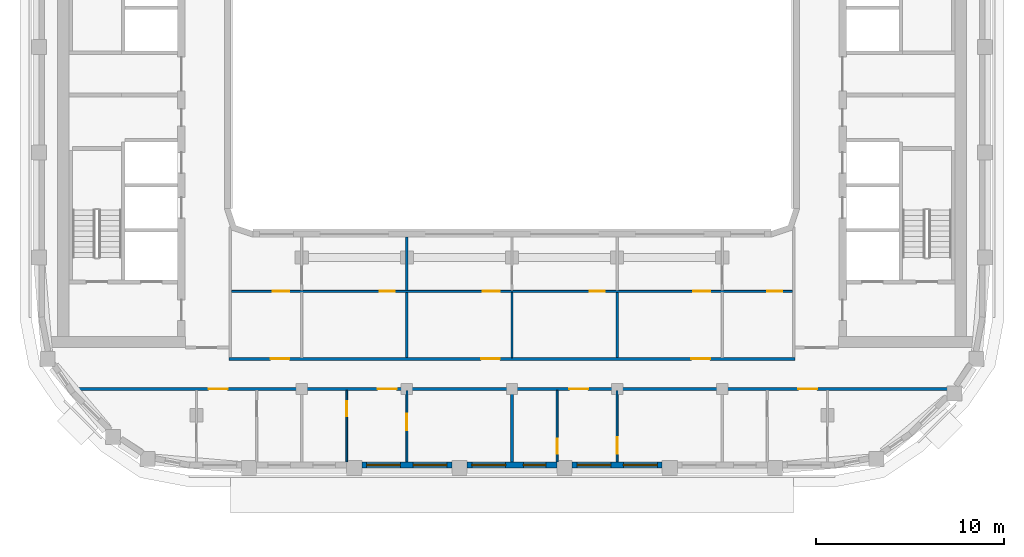
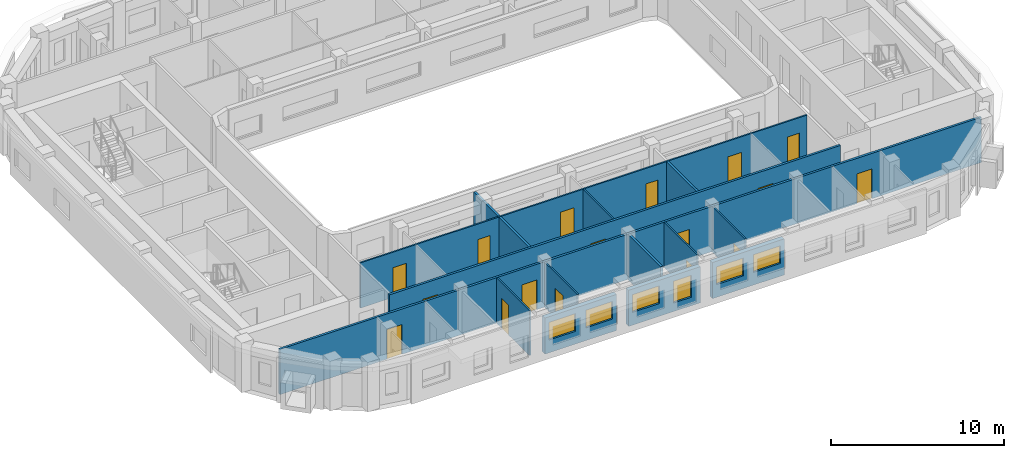
# One storey, part 3 of 16: 17 doors, 15 walls, 6 windows, 23 openings.
"""IFC4 building model written with IfcOpenShell, lengths in metres."""

from ifc_helpers import new_model, si_unit, direction, frame, frame_2d, origin, place, context, subcontext, project, spatial, rectangle, extrude, material, layer, layer_set, type_object, element, fill, save


model = new_model("IFC4")

# Units and contexts
model_context = context("Model", 3, precision=1e-05, world=origin(), true_north=direction((0.0, 1.0)))
body_context = subcontext(model_context, "Body", "Model", "MODEL_VIEW")
ifc_project = project(units=[si_unit("LENGTHUNIT", "METRE"), si_unit("AREAUNIT", "SQUARE_METRE"), si_unit("VOLUMEUNIT", "CUBIC_METRE"), si_unit("PLANEANGLEUNIT", "RADIAN"), si_unit("MASSUNIT", "GRAM", prefix="KILO")], contexts=[model_context])

# Site, building, storey
site_placement = place(None, origin())
site = spatial("IfcSite", under=ifc_project, at=site_placement, CompositionType="ELEMENT")
building_placement = place(site_placement, origin())
building = spatial("IfcBuilding", under=site, at=building_placement, Name="Kiln Ring Residences", CompositionType="ELEMENT")
storey_placement = place(building_placement, frame((0.0, 0.0, 245.199951171875)))
storey = spatial("IfcBuildingStorey", under=building, at=storey_placement, Name="L63", CompositionType="ELEMENT", Elevation=245.199951171875)

# Wall, openings, windows
ifc_material_1 = material(Name="Brick masonry, dark clay brick", Category="masonry")
ifc_layer_1 = layer(ifc_material_1, 0.300048828125)
ifc_layer_set_1 = layer_set([ifc_layer_1], Name="EW-300 BRICK WALL")
wall_type_1 = type_object("IfcWallType", Name="EW-300 BRICK WALL", PredefinedType="SOLIDWALL", material=ifc_layer_set_1)
wall_1_placement = place(storey_placement, frame((-8.0, -19.449951171875, 0.0), z_axis=(0.0, 0.0, 1.0), x_axis=(1.0, 0.0, 0.0)))
wall_1 = element("IfcWall", 1, at=wall_1_placement, inside=storey, type_object=wall_type_1, Name="Facade wall L63 6", PredefinedType="SOLIDWALL", context=body_context, shape_type="SweptSolid", body=[
    extrude(rectangle(XDim=4.800048828125, YDim=0.300048828125, at=frame_2d((2.39990234375, 0.0))), origin(), (0.0, 0.0, 1.0), 2.550048828125),
])
opening_1_placement = place(wall_1_placement, frame((0.262451171875, 0.0, 0.89990234375)))
opening_1 = element("IfcOpeningElement", 2, at=opening_1_placement, cuts=wall_1, Name="Opening W2", PredefinedType="OPENING", context=body_context, shape_type="SweptSolid", body=[
    extrude(rectangle(XDim=1.800048828125, YDim=1.25, at=frame_2d((0.89990234375, 0.625))), frame((0.0, 0.159912109375, 0.0), z_axis=(0.0, -1.0, 0.0), x_axis=(1.0, 0.0, 0.0)), (0.0, 0.0, 1.0), 0.320068359375),
])
opening_2_placement = place(wall_1_placement, frame((2.737548828125, 0.0, 0.89990234375)))
opening_2 = element("IfcOpeningElement", 3, at=opening_2_placement, cuts=wall_1, Name="Opening W2", PredefinedType="OPENING", context=body_context, shape_type="SweptSolid", body=[
    extrude(rectangle(XDim=1.800048828125, YDim=1.25, at=frame_2d((0.89990234375, 0.625))), frame((0.0, 0.159912109375, 0.0), z_axis=(0.0, -1.0, 0.0), x_axis=(1.0, 0.0, 0.0)), (0.0, 0.0, 1.0), 0.320068359375),
])
ifc_material_2 = material(Name="Aluminium frame with double glazing", Category="aluminium")
window_type_1 = type_object("IfcWindowType", Name="WINDOW 1800 x 1250", PartitioningType="SINGLE_PANEL", PredefinedType="WINDOW", material=ifc_material_2)
window_1_placement = place(opening_1_placement, origin())
window_1 = element("IfcWindow", 4, at=window_1_placement, inside=storey, type_object=window_type_1, Name="Window L63 6", OverallHeight=1.25, OverallWidth=1.800048828125, PartitioningType="SINGLE_PANEL", PredefinedType="WINDOW", context=body_context, shape_type="SweptSolid", body=[
    extrude(rectangle(XDim=1.800048828125, YDim=1.25, at=frame_2d((0.89990234375, 0.625))), frame((0.0, 0.030029296875, 0.0), z_axis=(0.0, -1.0, 0.0), x_axis=(1.0, 0.0, 0.0)), (0.0, 0.0, 1.0), 0.06005859375),
])
fill(opening_1, window_1)
window_2_placement = place(opening_2_placement, origin())
window_2 = element("IfcWindow", 5, at=window_2_placement, inside=storey, type_object=window_type_1, Name="Window L63 7", OverallHeight=1.25, OverallWidth=1.800048828125, PartitioningType="SINGLE_PANEL", PredefinedType="WINDOW", context=body_context, shape_type="SweptSolid", body=[
    extrude(rectangle(XDim=1.800048828125, YDim=1.25, at=frame_2d((0.89990234375, 0.625))), frame((0.0, 0.030029296875, 0.0), z_axis=(0.0, -1.0, 0.0), x_axis=(1.0, 0.0, 0.0)), (0.0, 0.0, 1.0), 0.06005859375),
])
fill(opening_2, window_2)

wall_2_placement = place(storey_placement, frame((-2.39990234375, -19.449951171875, 0.0), z_axis=(0.0, 0.0, 1.0), x_axis=(1.0, 0.0, 0.0)))
wall_2 = element("IfcWall", 6, at=wall_2_placement, inside=storey, type_object=wall_type_1, Name="Facade wall L63 7", PredefinedType="SOLIDWALL", context=body_context, shape_type="SweptSolid", body=[
    extrude(rectangle(XDim=4.7998046875, YDim=0.300048828125, at=frame_2d((2.39990234375, 0.0))), origin(), (0.0, 0.0, 1.0), 2.550048828125),
])
opening_3_placement = place(wall_2_placement, frame((0.262451171875, 0.0, 0.89990234375)))
opening_3 = element("IfcOpeningElement", 7, at=opening_3_placement, cuts=wall_2, Name="Opening W2", PredefinedType="OPENING", context=body_context, shape_type="SweptSolid", body=[
    extrude(rectangle(XDim=1.800048828125, YDim=1.25, at=frame_2d((0.89990234375, 0.625))), frame((0.0, 0.159912109375, 0.0), z_axis=(0.0, -1.0, 0.0), x_axis=(1.0, 0.0, 0.0)), (0.0, 0.0, 1.0), 0.320068359375),
])
opening_4_placement = place(wall_2_placement, frame((3.0, 0.0, 0.60009765625)))
opening_4 = element("IfcOpeningElement", 8, at=opening_4_placement, cuts=wall_2, Name="Opening W1", PredefinedType="OPENING", context=body_context, shape_type="SweptSolid", body=[
    extrude(rectangle(XDim=1.199951171875, YDim=1.550048828125, at=frame_2d((0.60009765625, 0.77490234375))), frame((0.0, 0.159912109375, 0.0), z_axis=(0.0, -1.0, 0.0), x_axis=(1.0, 0.0, 0.0)), (0.0, 0.0, 1.0), 0.320068359375),
])
ifc_material_3 = material(Name="Aluminium frame with double glazing", Category="aluminium")
window_type_2 = type_object("IfcWindowType", Name="WINDOW 1200 x 1550", PartitioningType="SINGLE_PANEL", PredefinedType="WINDOW", material=ifc_material_3)
window_3_placement = place(opening_4_placement, origin())
window_3 = element("IfcWindow", 9, at=window_3_placement, inside=storey, type_object=window_type_2, Name="Window L63 9", OverallHeight=1.550048828125, OverallWidth=1.199951171875, PartitioningType="SINGLE_PANEL", PredefinedType="WINDOW", context=body_context, shape_type="SweptSolid", body=[
    extrude(rectangle(XDim=1.199951171875, YDim=1.550048828125, at=frame_2d((0.60009765625, 0.77490234375))), frame((0.0, 0.030029296875, 0.0), z_axis=(0.0, -1.0, 0.0), x_axis=(1.0, 0.0, 0.0)), (0.0, 0.0, 1.0), 0.06005859375),
])
fill(opening_4, window_3)
window_4_placement = place(opening_3_placement, origin())
window_4 = element("IfcWindow", 10, at=window_4_placement, inside=storey, type_object=window_type_1, Name="Window L63 8", OverallHeight=1.25, OverallWidth=1.800048828125, PartitioningType="SINGLE_PANEL", PredefinedType="WINDOW", context=body_context, shape_type="SweptSolid", body=[
    extrude(rectangle(XDim=1.800048828125, YDim=1.25, at=frame_2d((0.89990234375, 0.625))), frame((0.0, 0.030029296875, 0.0), z_axis=(0.0, -1.0, 0.0), x_axis=(1.0, 0.0, 0.0)), (0.0, 0.0, 1.0), 0.06005859375),
])
fill(opening_3, window_4)

wall_3_placement = place(storey_placement, frame((3.199951171875, -19.449951171875, 0.0), z_axis=(0.0, 0.0, 1.0), x_axis=(1.0, 0.0, 0.0)))
wall_3 = element("IfcWall", 11, at=wall_3_placement, inside=storey, type_object=wall_type_1, Name="Facade wall L63 8", PredefinedType="SOLIDWALL", context=body_context, shape_type="SweptSolid", body=[
    extrude(rectangle(XDim=4.800048828125, YDim=0.300048828125, at=frame_2d((2.39990234375, 0.0))), origin(), (0.0, 0.0, 1.0), 2.550048828125),
])
opening_5_placement = place(wall_3_placement, frame((0.262451171875, 0.0, 0.89990234375)))
opening_5 = element("IfcOpeningElement", 12, at=opening_5_placement, cuts=wall_3, Name="Opening W2", PredefinedType="OPENING", context=body_context, shape_type="SweptSolid", body=[
    extrude(rectangle(XDim=1.800048828125, YDim=1.25, at=frame_2d((0.89990234375, 0.625))), frame((0.0, 0.159912109375, 0.0), z_axis=(0.0, -1.0, 0.0), x_axis=(1.0, 0.0, 0.0)), (0.0, 0.0, 1.0), 0.320068359375),
])
opening_6_placement = place(wall_3_placement, frame((2.737548828125, 0.0, 0.89990234375)))
opening_6 = element("IfcOpeningElement", 13, at=opening_6_placement, cuts=wall_3, Name="Opening W2", PredefinedType="OPENING", context=body_context, shape_type="SweptSolid", body=[
    extrude(rectangle(XDim=1.800048828125, YDim=1.25, at=frame_2d((0.89990234375, 0.625))), frame((0.0, 0.159912109375, 0.0), z_axis=(0.0, -1.0, 0.0), x_axis=(1.0, 0.0, 0.0)), (0.0, 0.0, 1.0), 0.320068359375),
])
window_5_placement = place(opening_5_placement, origin())
window_5 = element("IfcWindow", 14, at=window_5_placement, inside=storey, type_object=window_type_1, Name="Window L63 10", OverallHeight=1.25, OverallWidth=1.800048828125, PartitioningType="SINGLE_PANEL", PredefinedType="WINDOW", context=body_context, shape_type="SweptSolid", body=[
    extrude(rectangle(XDim=1.800048828125, YDim=1.25, at=frame_2d((0.89990234375, 0.625))), frame((0.0, 0.030029296875, 0.0), z_axis=(0.0, -1.0, 0.0), x_axis=(1.0, 0.0, 0.0)), (0.0, 0.0, 1.0), 0.06005859375),
])
fill(opening_5, window_5)
window_6_placement = place(opening_6_placement, origin())
window_6 = element("IfcWindow", 15, at=window_6_placement, inside=storey, type_object=window_type_1, Name="Window L63 11", OverallHeight=1.25, OverallWidth=1.800048828125, PartitioningType="SINGLE_PANEL", PredefinedType="WINDOW", context=body_context, shape_type="SweptSolid", body=[
    extrude(rectangle(XDim=1.800048828125, YDim=1.25, at=frame_2d((0.89990234375, 0.625))), frame((0.0, 0.030029296875, 0.0), z_axis=(0.0, -1.0, 0.0), x_axis=(1.0, 0.0, 0.0)), (0.0, 0.0, 1.0), 0.06005859375),
])
fill(opening_6, window_6)

# Wall, openings, doors
ifc_material_4 = material(Name="Gypsum board on steel studs", Category="steel")
ifc_layer_2 = layer(ifc_material_4, 0.10009765625)
ifc_layer_set_2 = layer_set([ifc_layer_2], Name="PARTITION-100")
wall_type_2 = type_object("IfcWallType", Name="PARTITION-100", PredefinedType="PARTITIONING", material=ifc_layer_set_2)
wall_4_placement = place(storey_placement, frame((-14.925048828125, -10.199951171875, 0.0), z_axis=(0.0, 0.0, 1.0), x_axis=(1.0, 0.0, 0.0)))
wall_4 = element("IfcWall", 16, at=wall_4_placement, inside=storey, type_object=wall_type_2, Name="Partition 004", PredefinedType="PARTITIONING", context=body_context, shape_type="SweptSolid", body=[
    extrude(rectangle(XDim=29.85009765625, YDim=0.10009765625, at=frame_2d((14.925048828125, 0.0))), origin(), (0.0, 0.0, 1.0), 3.199951171875),
])
opening_7_placement = place(wall_4_placement, frame((7.875, 0.0, 0.0)))
opening_7 = element("IfcOpeningElement", 17, at=opening_7_placement, cuts=wall_4, Name="Opening L63-D030", PredefinedType="OPENING", context=body_context, shape_type="SweptSolid", body=[
    extrude(rectangle(XDim=0.800048828125, YDim=2.10009765625, at=frame_2d((0.39990234375, 1.050048828125))), frame((0.0, 0.06005859375, 0.0), z_axis=(0.0, -1.0, 0.0), x_axis=(1.0, 0.0, 0.0)), (0.0, 0.0, 1.0), 0.1201171875),
])
opening_8_placement = place(wall_4_placement, frame((2.175048828125, 0.0, 0.0)))
opening_8 = element("IfcOpeningElement", 18, at=opening_8_placement, cuts=wall_4, Name="Opening L63-D031", PredefinedType="OPENING", context=body_context, shape_type="SweptSolid", body=[
    extrude(rectangle(XDim=0.89990234375, YDim=2.10009765625, at=frame_2d((0.449951171875, 1.050048828125))), frame((0.0, 0.06005859375, 0.0), z_axis=(0.0, -1.0, 0.0), x_axis=(1.0, 0.0, 0.0)), (0.0, 0.0, 1.0), 0.1201171875),
])
opening_9_placement = place(wall_4_placement, frame((19.074951171875, 0.0, 0.0)))
opening_9 = element("IfcOpeningElement", 19, at=opening_9_placement, cuts=wall_4, Name="Opening L63-D034", PredefinedType="OPENING", context=body_context, shape_type="SweptSolid", body=[
    extrude(rectangle(XDim=0.800048828125, YDim=2.10009765625, at=frame_2d((0.39990234375, 1.050048828125))), frame((0.0, 0.06005859375, 0.0), z_axis=(0.0, -1.0, 0.0), x_axis=(1.0, 0.0, 0.0)), (0.0, 0.0, 1.0), 0.1201171875),
])
opening_10_placement = place(wall_4_placement, frame((13.375, 0.0, 0.0)))
opening_10 = element("IfcOpeningElement", 20, at=opening_10_placement, cuts=wall_4, Name="Opening L63-D035", PredefinedType="OPENING", context=body_context, shape_type="SweptSolid", body=[
    extrude(rectangle(XDim=0.89990234375, YDim=2.10009765625, at=frame_2d((0.449951171875, 1.050048828125))), frame((0.0, 0.06005859375, 0.0), z_axis=(0.0, -1.0, 0.0), x_axis=(1.0, 0.0, 0.0)), (0.0, 0.0, 1.0), 0.1201171875),
])
opening_11_placement = place(wall_4_placement, frame((28.52490234375, 0.0, 0.0)))
opening_11 = element("IfcOpeningElement", 21, at=opening_11_placement, cuts=wall_4, Name="Opening L63-D038", PredefinedType="OPENING", context=body_context, shape_type="SweptSolid", body=[
    extrude(rectangle(XDim=0.800048828125, YDim=2.10009765625, at=frame_2d((0.39990234375, 1.050048828125))), frame((0.0, 0.06005859375, 0.0), z_axis=(0.0, -1.0, 0.0), x_axis=(1.0, 0.0, 0.0)), (0.0, 0.0, 1.0), 0.1201171875),
])
opening_12_placement = place(wall_4_placement, frame((24.574951171875, 0.0, 0.0)))
opening_12 = element("IfcOpeningElement", 22, at=opening_12_placement, cuts=wall_4, Name="Opening L63-D039", PredefinedType="OPENING", context=body_context, shape_type="SweptSolid", body=[
    extrude(rectangle(XDim=0.89990234375, YDim=2.10009765625, at=frame_2d((0.449951171875, 1.050048828125))), frame((0.0, 0.06005859375, 0.0), z_axis=(0.0, -1.0, 0.0), x_axis=(1.0, 0.0, 0.0)), (0.0, 0.0, 1.0), 0.1201171875),
])
ifc_material_5 = material(Name="Timber door leaf", Category="wood")
door_type_1 = type_object("IfcDoorType", Name="FLAT-DOOR-800-PL", OperationType="SINGLE_SWING_LEFT", PredefinedType="DOOR", material=ifc_material_5)
door_1_placement = place(opening_7_placement, origin())
door_1 = element("IfcDoor", 23, at=door_1_placement, inside=storey, type_object=door_type_1, Name="Door L63-D030", OperationType="SINGLE_SWING_RIGHT", OverallHeight=2.10009765625, OverallWidth=0.800048828125, PredefinedType="DOOR", context=body_context, shape_type="SweptSolid", body=[
    extrude(rectangle(XDim=0.800048828125, YDim=2.10009765625, at=frame_2d((0.39990234375, 1.050048828125))), frame((0.0, 0.02490234375, 0.0), z_axis=(0.0, -1.0, 0.0), x_axis=(1.0, 0.0, 0.0)), (0.0, 0.0, 1.0), 0.050048828125),
])
fill(opening_7, door_1)
door_2_placement = place(opening_9_placement, origin())
door_2 = element("IfcDoor", 24, at=door_2_placement, inside=storey, type_object=door_type_1, Name="Door L63-D034", OperationType="SINGLE_SWING_RIGHT", OverallHeight=2.10009765625, OverallWidth=0.800048828125, PredefinedType="DOOR", context=body_context, shape_type="SweptSolid", body=[
    extrude(rectangle(XDim=0.800048828125, YDim=2.10009765625, at=frame_2d((0.39990234375, 1.050048828125))), frame((0.0, 0.02490234375, 0.0), z_axis=(0.0, -1.0, 0.0), x_axis=(1.0, 0.0, 0.0)), (0.0, 0.0, 1.0), 0.050048828125),
])
fill(opening_9, door_2)
door_3_placement = place(opening_11_placement, origin())
door_3 = element("IfcDoor", 25, at=door_3_placement, inside=storey, type_object=door_type_1, Name="Door L63-D038", OperationType="SINGLE_SWING_RIGHT", OverallHeight=2.10009765625, OverallWidth=0.800048828125, PredefinedType="DOOR", context=body_context, shape_type="SweptSolid", body=[
    extrude(rectangle(XDim=0.800048828125, YDim=2.10009765625, at=frame_2d((0.39990234375, 1.050048828125))), frame((0.0, 0.02490234375, 0.0), z_axis=(0.0, -1.0, 0.0), x_axis=(1.0, 0.0, 0.0)), (0.0, 0.0, 1.0), 0.050048828125),
])
fill(opening_11, door_3)
ifc_material_6 = material(Name="Timber door leaf", Category="wood")
door_type_2 = type_object("IfcDoorType", Name="FLAT-DOOR-900-PL", OperationType="SINGLE_SWING_LEFT", PredefinedType="DOOR", material=ifc_material_6)
door_4_placement = place(opening_8_placement, origin())
door_4 = element("IfcDoor", 26, at=door_4_placement, inside=storey, type_object=door_type_2, Name="Door L63-D031", OperationType="SINGLE_SWING_LEFT", OverallHeight=2.10009765625, OverallWidth=0.89990234375, PredefinedType="DOOR", context=body_context, shape_type="SweptSolid", body=[
    extrude(rectangle(XDim=0.89990234375, YDim=2.10009765625, at=frame_2d((0.449951171875, 1.050048828125))), frame((0.0, 0.02490234375, 0.0), z_axis=(0.0, -1.0, 0.0), x_axis=(1.0, 0.0, 0.0)), (0.0, 0.0, 1.0), 0.050048828125),
])
fill(opening_8, door_4)
door_5_placement = place(opening_10_placement, origin())
door_5 = element("IfcDoor", 27, at=door_5_placement, inside=storey, type_object=door_type_2, Name="Door L63-D035", OperationType="SINGLE_SWING_LEFT", OverallHeight=2.10009765625, OverallWidth=0.89990234375, PredefinedType="DOOR", context=body_context, shape_type="SweptSolid", body=[
    extrude(rectangle(XDim=0.89990234375, YDim=2.10009765625, at=frame_2d((0.449951171875, 1.050048828125))), frame((0.0, 0.02490234375, 0.0), z_axis=(0.0, -1.0, 0.0), x_axis=(1.0, 0.0, 0.0)), (0.0, 0.0, 1.0), 0.050048828125),
])
fill(opening_10, door_5)
door_6_placement = place(opening_12_placement, origin())
door_6 = element("IfcDoor", 28, at=door_6_placement, inside=storey, type_object=door_type_2, Name="Door L63-D039", OperationType="SINGLE_SWING_LEFT", OverallHeight=2.10009765625, OverallWidth=0.89990234375, PredefinedType="DOOR", context=body_context, shape_type="SweptSolid", body=[
    extrude(rectangle(XDim=0.89990234375, YDim=2.10009765625, at=frame_2d((0.449951171875, 1.050048828125))), frame((0.0, 0.02490234375, 0.0), z_axis=(0.0, -1.0, 0.0), x_axis=(1.0, 0.0, 0.0)), (0.0, 0.0, 1.0), 0.050048828125),
])
fill(opening_12, door_6)

# Wall, opening, door
wall_5_placement = place(storey_placement, frame((-8.800048828125, -19.280029296875, 0.0), z_axis=(0.0, 0.0, 1.0), x_axis=(0.0, 1.0, 0.0)))
wall_5 = element("IfcWall", 29, at=wall_5_placement, inside=storey, type_object=wall_type_2, Name="Partition 021", PredefinedType="PARTITIONING", context=body_context, shape_type="SweptSolid", body=[
    extrude(rectangle(XDim=3.804931640625, YDim=0.10009765625, at=frame_2d((1.90234375, 0.0))), origin(), (0.0, 0.0, 1.0), 3.199951171875),
])
opening_13_placement = place(wall_5_placement, frame((2.428955078125, 0.0, 0.0)))
opening_13 = element("IfcOpeningElement", 30, at=opening_13_placement, cuts=wall_5, Name="Opening L63-D045", PredefinedType="OPENING", context=body_context, shape_type="SweptSolid", body=[
    extrude(rectangle(XDim=0.800048828125, YDim=2.10009765625, at=frame_2d((0.39990234375, 1.050048828125))), frame((0.0, 0.06005859375, 0.0), z_axis=(0.0, -1.0, 0.0), x_axis=(1.0, 0.0, 0.0)), (0.0, 0.0, 1.0), 0.1201171875),
])
door_7_placement = place(opening_13_placement, origin())
door_7 = element("IfcDoor", 31, at=door_7_placement, inside=storey, type_object=door_type_1, Name="Door L63-D045", OperationType="SINGLE_SWING_LEFT", OverallHeight=2.10009765625, OverallWidth=0.800048828125, PredefinedType="DOOR", context=body_context, shape_type="SweptSolid", body=[
    extrude(rectangle(XDim=0.800048828125, YDim=2.10009765625, at=frame_2d((0.39990234375, 1.050048828125))), frame((0.0, 0.02490234375, 0.0), z_axis=(0.0, -1.0, 0.0), x_axis=(1.0, 0.0, 0.0)), (0.0, 0.0, 1.0), 0.050048828125),
])
fill(opening_13, door_7)

wall_6_placement = place(storey_placement, frame((-5.60009765625, -19.280029296875, 0.0), z_axis=(0.0, 0.0, 1.0), x_axis=(0.0, 1.0, 0.0)))
wall_6 = element("IfcWall", 32, at=wall_6_placement, inside=storey, type_object=wall_type_2, Name="Partition 023", PredefinedType="PARTITIONING", context=body_context, shape_type="SweptSolid", body=[
    extrude(rectangle(XDim=3.804931640625, YDim=0.10009765625, at=frame_2d((1.90234375, 0.0))), origin(), (0.0, 0.0, 1.0), 3.199951171875),
])
opening_14_placement = place(wall_6_placement, frame((1.669921875, 0.0, 0.0)))
opening_14 = element("IfcOpeningElement", 33, at=opening_14_placement, cuts=wall_6, Name="Opening L63-D046", PredefinedType="OPENING", context=body_context, shape_type="SweptSolid", body=[
    extrude(rectangle(XDim=0.89990234375, YDim=2.10009765625, at=frame_2d((0.449951171875, 1.050048828125))), frame((0.0, 0.06005859375, 0.0), z_axis=(0.0, -1.0, 0.0), x_axis=(1.0, 0.0, 0.0)), (0.0, 0.0, 1.0), 0.1201171875),
])
door_8_placement = place(opening_14_placement, origin())
door_8 = element("IfcDoor", 34, at=door_8_placement, inside=storey, type_object=door_type_2, Name="Door L63-D046", OperationType="SINGLE_SWING_RIGHT", OverallHeight=2.10009765625, OverallWidth=0.89990234375, PredefinedType="DOOR", context=body_context, shape_type="SweptSolid", body=[
    extrude(rectangle(XDim=0.89990234375, YDim=2.10009765625, at=frame_2d((0.449951171875, 1.050048828125))), frame((0.0, 0.02490234375, 0.0), z_axis=(0.0, -1.0, 0.0), x_axis=(1.0, 0.0, 0.0)), (0.0, 0.0, 1.0), 0.050048828125),
])
fill(opening_14, door_8)

# Wall
wall_7_placement = place(storey_placement, frame((0.0, -13.72509765625, 0.0), z_axis=(0.0, 0.0, 1.0), x_axis=(0.0, 1.0, 0.0)))
element("IfcWall", 35, at=wall_7_placement, inside=storey, type_object=wall_type_2, Name="Partition 030", PredefinedType="PARTITIONING", context=body_context, shape_type="SweptSolid", body=[
    extrude(rectangle(XDim=3.47509765625, YDim=0.10009765625, at=frame_2d((1.737548828125, 0.0))), origin(), (0.0, 0.0, 1.0), 3.199951171875),
])

# Wall, opening, door
wall_8_placement = place(storey_placement, frame((2.39990234375, -19.280029296875, 0.0), z_axis=(0.0, 0.0, 1.0), x_axis=(0.0, 1.0, 0.0)))
wall_8 = element("IfcWall", 36, at=wall_8_placement, inside=storey, type_object=wall_type_2, Name="Partition 036", PredefinedType="PARTITIONING", context=body_context, shape_type="SweptSolid", body=[
    extrude(rectangle(XDim=3.804931640625, YDim=0.10009765625, at=frame_2d((1.90234375, 0.0))), origin(), (0.0, 0.0, 1.0), 3.199951171875),
])
opening_15_placement = place(wall_8_placement, frame((0.428955078125, 0.0, 0.0)))
opening_15 = element("IfcOpeningElement", 37, at=opening_15_placement, cuts=wall_8, Name="Opening L63-D048", PredefinedType="OPENING", context=body_context, shape_type="SweptSolid", body=[
    extrude(rectangle(XDim=0.800048828125, YDim=2.10009765625, at=frame_2d((0.39990234375, 1.050048828125))), frame((0.0, 0.06005859375, 0.0), z_axis=(0.0, -1.0, 0.0), x_axis=(1.0, 0.0, 0.0)), (0.0, 0.0, 1.0), 0.1201171875),
])
door_9_placement = place(opening_15_placement, origin())
door_9 = element("IfcDoor", 38, at=door_9_placement, inside=storey, type_object=door_type_1, Name="Door L63-D048", OperationType="SINGLE_SWING_RIGHT", OverallHeight=2.10009765625, OverallWidth=0.800048828125, PredefinedType="DOOR", context=body_context, shape_type="SweptSolid", body=[
    extrude(rectangle(XDim=0.800048828125, YDim=2.10009765625, at=frame_2d((0.39990234375, 1.050048828125))), frame((0.0, 0.02490234375, 0.0), z_axis=(0.0, -1.0, 0.0), x_axis=(1.0, 0.0, 0.0)), (0.0, 0.0, 1.0), 0.050048828125),
])
fill(opening_15, door_9)

wall_9_placement = place(storey_placement, frame((5.60009765625, -19.280029296875, 0.0), z_axis=(0.0, 0.0, 1.0), x_axis=(0.0, 1.0, 0.0)))
wall_9 = element("IfcWall", 39, at=wall_9_placement, inside=storey, type_object=wall_type_2, Name="Partition 038", PredefinedType="PARTITIONING", context=body_context, shape_type="SweptSolid", body=[
    extrude(rectangle(XDim=3.804931640625, YDim=0.10009765625, at=frame_2d((1.90234375, 0.0))), origin(), (0.0, 0.0, 1.0), 3.199951171875),
])
opening_16_placement = place(wall_9_placement, frame((0.419921875, 0.0, 0.0)))
opening_16 = element("IfcOpeningElement", 40, at=opening_16_placement, cuts=wall_9, Name="Opening L63-D049", PredefinedType="OPENING", context=body_context, shape_type="SweptSolid", body=[
    extrude(rectangle(XDim=0.89990234375, YDim=2.10009765625, at=frame_2d((0.449951171875, 1.050048828125))), frame((0.0, 0.06005859375, 0.0), z_axis=(0.0, -1.0, 0.0), x_axis=(1.0, 0.0, 0.0)), (0.0, 0.0, 1.0), 0.1201171875),
])
door_10_placement = place(opening_16_placement, origin())
door_10 = element("IfcDoor", 41, at=door_10_placement, inside=storey, type_object=door_type_2, Name="Door L63-D049", OperationType="SINGLE_SWING_LEFT", OverallHeight=2.10009765625, OverallWidth=0.89990234375, PredefinedType="DOOR", context=body_context, shape_type="SweptSolid", body=[
    extrude(rectangle(XDim=0.89990234375, YDim=2.10009765625, at=frame_2d((0.449951171875, 1.050048828125))), frame((0.0, 0.02490234375, 0.0), z_axis=(0.0, -1.0, 0.0), x_axis=(1.0, 0.0, 0.0)), (0.0, 0.0, 1.0), 0.050048828125),
])
fill(opening_16, door_10)

# Wall, openings, doors
ifc_material_7 = material(Name="Brick masonry partition", Category="masonry")
ifc_layer_3 = layer(ifc_material_7, 0.14990234375)
ifc_layer_set_3 = layer_set([ifc_layer_3], Name="PARTITION-150-ei60")
wall_type_3 = type_object("IfcWallType", Name="PARTITION-150-ei60", PredefinedType="PARTITIONING", material=ifc_layer_set_3)
wall_10_placement = place(storey_placement, frame((-23.322021484375, -15.39990234375, 0.0), z_axis=(0.0, 0.0, 1.0), x_axis=(1.0, 0.0, 0.0)))
wall_10 = element("IfcWall", 42, at=wall_10_placement, inside=storey, type_object=wall_type_3, Name="Partition 000", PredefinedType="PARTITIONING", context=body_context, shape_type="SweptSolid", body=[
    extrude(rectangle(XDim=46.8720703125, YDim=0.14990234375, at=frame_2d((23.43603515625, 0.0))), origin(), (0.0, 0.0, 1.0), 3.199951171875),
])
opening_17_placement = place(wall_10_placement, frame((7.172119140625, 0.0, 0.0)))
opening_17 = element("IfcOpeningElement", 43, at=opening_17_placement, cuts=wall_10, Name="Opening L63-D041", PredefinedType="OPENING", context=body_context, shape_type="SweptSolid", body=[
    extrude(rectangle(XDim=1.0, YDim=2.10009765625, at=frame_2d((0.5, 1.050048828125))), frame((0.0, 0.0849609375, 0.0), z_axis=(0.0, -1.0, 0.0), x_axis=(1.0, 0.0, 0.0)), (0.0, 0.0, 1.0), 0.169921875),
])
opening_18_placement = place(wall_10_placement, frame((16.172119140625, 0.0, 0.0)))
opening_18 = element("IfcOpeningElement", 44, at=opening_18_placement, cuts=wall_10, Name="Opening L63-D044", PredefinedType="OPENING", context=body_context, shape_type="SweptSolid", body=[
    extrude(rectangle(XDim=1.0, YDim=2.10009765625, at=frame_2d((0.5, 1.050048828125))), frame((0.0, 0.0849609375, 0.0), z_axis=(0.0, -1.0, 0.0), x_axis=(1.0, 0.0, 0.0)), (0.0, 0.0, 1.0), 0.169921875),
])
opening_19_placement = place(wall_10_placement, frame((26.3720703125, 0.0, 0.0)))
opening_19 = element("IfcOpeningElement", 45, at=opening_19_placement, cuts=wall_10, Name="Opening L63-D047", PredefinedType="OPENING", context=body_context, shape_type="SweptSolid", body=[
    extrude(rectangle(XDim=1.0, YDim=2.10009765625, at=frame_2d((0.5, 1.050048828125))), frame((0.0, 0.0849609375, 0.0), z_axis=(0.0, -1.0, 0.0), x_axis=(1.0, 0.0, 0.0)), (0.0, 0.0, 1.0), 0.169921875),
])
opening_20_placement = place(wall_10_placement, frame((38.572021484375, 0.0, 0.0)))
opening_20 = element("IfcOpeningElement", 46, at=opening_20_placement, cuts=wall_10, Name="Opening L63-D050", PredefinedType="OPENING", context=body_context, shape_type="SweptSolid", body=[
    extrude(rectangle(XDim=1.0, YDim=2.10009765625, at=frame_2d((0.5, 1.050048828125))), frame((0.0, 0.0849609375, 0.0), z_axis=(0.0, -1.0, 0.0), x_axis=(1.0, 0.0, 0.0)), (0.0, 0.0, 1.0), 0.169921875),
])
ifc_material_8 = material(Name="Steel faced fire door leaf", Category="steel")
door_type_3 = type_object("IfcDoorType", Name="FLAT-DOOR-1000-FR", OperationType="SINGLE_SWING_LEFT", PredefinedType="DOOR", material=ifc_material_8)
door_11_placement = place(opening_17_placement, origin())
door_11 = element("IfcDoor", 47, at=door_11_placement, inside=storey, type_object=door_type_3, Name="Door L63-D041", OperationType="SINGLE_SWING_LEFT", OverallHeight=2.10009765625, OverallWidth=1.0, PredefinedType="DOOR", context=body_context, shape_type="SweptSolid", body=[
    extrude(rectangle(XDim=1.0, YDim=2.10009765625, at=frame_2d((0.5, 1.050048828125))), frame((0.0, 0.02490234375, 0.0), z_axis=(0.0, -1.0, 0.0), x_axis=(1.0, 0.0, 0.0)), (0.0, 0.0, 1.0), 0.050048828125),
])
fill(opening_17, door_11)
door_12_placement = place(opening_18_placement, origin())
door_12 = element("IfcDoor", 48, at=door_12_placement, inside=storey, type_object=door_type_3, Name="Door L63-D044", OperationType="SINGLE_SWING_RIGHT", OverallHeight=2.10009765625, OverallWidth=1.0, PredefinedType="DOOR", context=body_context, shape_type="SweptSolid", body=[
    extrude(rectangle(XDim=1.0, YDim=2.10009765625, at=frame_2d((0.5, 1.050048828125))), frame((0.0, 0.02490234375, 0.0), z_axis=(0.0, -1.0, 0.0), x_axis=(1.0, 0.0, 0.0)), (0.0, 0.0, 1.0), 0.050048828125),
])
fill(opening_18, door_12)
door_13_placement = place(opening_19_placement, origin())
door_13 = element("IfcDoor", 49, at=door_13_placement, inside=storey, type_object=door_type_3, Name="Door L63-D047", OperationType="SINGLE_SWING_LEFT", OverallHeight=2.10009765625, OverallWidth=1.0, PredefinedType="DOOR", context=body_context, shape_type="SweptSolid", body=[
    extrude(rectangle(XDim=1.0, YDim=2.10009765625, at=frame_2d((0.5, 1.050048828125))), frame((0.0, 0.02490234375, 0.0), z_axis=(0.0, -1.0, 0.0), x_axis=(1.0, 0.0, 0.0)), (0.0, 0.0, 1.0), 0.050048828125),
])
fill(opening_19, door_13)
door_14_placement = place(opening_20_placement, origin())
door_14 = element("IfcDoor", 50, at=door_14_placement, inside=storey, type_object=door_type_3, Name="Door L63-D050", OperationType="SINGLE_SWING_RIGHT", OverallHeight=2.10009765625, OverallWidth=1.0, PredefinedType="DOOR", context=body_context, shape_type="SweptSolid", body=[
    extrude(rectangle(XDim=1.0, YDim=2.10009765625, at=frame_2d((0.5, 1.050048828125))), frame((0.0, 0.02490234375, 0.0), z_axis=(0.0, -1.0, 0.0), x_axis=(1.0, 0.0, 0.0)), (0.0, 0.0, 1.0), 0.050048828125),
])
fill(opening_20, door_14)

wall_11_placement = place(storey_placement, frame((-15.074951171875, -13.800048828125, 0.0), z_axis=(0.0, 0.0, 1.0), x_axis=(1.0, 0.0, 0.0)))
wall_11 = element("IfcWall", 51, at=wall_11_placement, inside=storey, type_object=wall_type_3, Name="Partition 001", PredefinedType="PARTITIONING", context=body_context, shape_type="SweptSolid", body=[
    extrude(rectangle(XDim=30.14990234375, YDim=0.14990234375, at=frame_2d((15.074951171875, 0.0))), origin(), (0.0, 0.0, 1.0), 3.199951171875),
])
opening_21_placement = place(wall_11_placement, frame((2.22509765625, 0.0, 0.0)))
opening_21 = element("IfcOpeningElement", 52, at=opening_21_placement, cuts=wall_11, Name="Opening L63-D029", PredefinedType="OPENING", context=body_context, shape_type="SweptSolid", body=[
    extrude(rectangle(XDim=1.0, YDim=2.10009765625, at=frame_2d((0.5, 1.050048828125))), frame((0.0, 0.0849609375, 0.0), z_axis=(0.0, -1.0, 0.0), x_axis=(1.0, 0.0, 0.0)), (0.0, 0.0, 1.0), 0.169921875),
])
opening_22_placement = place(wall_11_placement, frame((13.425048828125, 0.0, 0.0)))
opening_22 = element("IfcOpeningElement", 53, at=opening_22_placement, cuts=wall_11, Name="Opening L63-D033", PredefinedType="OPENING", context=body_context, shape_type="SweptSolid", body=[
    extrude(rectangle(XDim=1.0, YDim=2.10009765625, at=frame_2d((0.5, 1.050048828125))), frame((0.0, 0.0849609375, 0.0), z_axis=(0.0, -1.0, 0.0), x_axis=(1.0, 0.0, 0.0)), (0.0, 0.0, 1.0), 0.169921875),
])
opening_23_placement = place(wall_11_placement, frame((24.625, 0.0, 0.0)))
opening_23 = element("IfcOpeningElement", 54, at=opening_23_placement, cuts=wall_11, Name="Opening L63-D037", PredefinedType="OPENING", context=body_context, shape_type="SweptSolid", body=[
    extrude(rectangle(XDim=1.0, YDim=2.10009765625, at=frame_2d((0.5, 1.050048828125))), frame((0.0, 0.0849609375, 0.0), z_axis=(0.0, -1.0, 0.0), x_axis=(1.0, 0.0, 0.0)), (0.0, 0.0, 1.0), 0.169921875),
])
door_15_placement = place(opening_21_placement, origin())
door_15 = element("IfcDoor", 55, at=door_15_placement, inside=storey, type_object=door_type_3, Name="Door L63-D029", OperationType="SINGLE_SWING_LEFT", OverallHeight=2.10009765625, OverallWidth=1.0, PredefinedType="DOOR", context=body_context, shape_type="SweptSolid", body=[
    extrude(rectangle(XDim=1.0, YDim=2.10009765625, at=frame_2d((0.5, 1.050048828125))), frame((0.0, 0.02490234375, 0.0), z_axis=(0.0, -1.0, 0.0), x_axis=(1.0, 0.0, 0.0)), (0.0, 0.0, 1.0), 0.050048828125),
])
fill(opening_21, door_15)
door_16_placement = place(opening_22_placement, origin())
door_16 = element("IfcDoor", 56, at=door_16_placement, inside=storey, type_object=door_type_3, Name="Door L63-D033", OperationType="SINGLE_SWING_LEFT", OverallHeight=2.10009765625, OverallWidth=1.0, PredefinedType="DOOR", context=body_context, shape_type="SweptSolid", body=[
    extrude(rectangle(XDim=1.0, YDim=2.10009765625, at=frame_2d((0.5, 1.050048828125))), frame((0.0, 0.02490234375, 0.0), z_axis=(0.0, -1.0, 0.0), x_axis=(1.0, 0.0, 0.0)), (0.0, 0.0, 1.0), 0.050048828125),
])
fill(opening_22, door_16)
door_17_placement = place(opening_23_placement, origin())
door_17 = element("IfcDoor", 57, at=door_17_placement, inside=storey, type_object=door_type_3, Name="Door L63-D037", OperationType="SINGLE_SWING_LEFT", OverallHeight=2.10009765625, OverallWidth=1.0, PredefinedType="DOOR", context=body_context, shape_type="SweptSolid", body=[
    extrude(rectangle(XDim=1.0, YDim=2.10009765625, at=frame_2d((0.5, 1.050048828125))), frame((0.0, 0.02490234375, 0.0), z_axis=(0.0, -1.0, 0.0), x_axis=(1.0, 0.0, 0.0)), (0.0, 0.0, 1.0), 0.050048828125),
])
fill(opening_23, door_17)

# Walls
wall_12_placement = place(storey_placement, frame((-5.60009765625, -13.72509765625, 0.0), z_axis=(0.0, 0.0, 1.0), x_axis=(0.0, 1.0, 0.0)))
element("IfcWall", 58, at=wall_12_placement, inside=storey, type_object=wall_type_3, Name="Partition 026", PredefinedType="PARTITIONING", context=body_context, shape_type="SweptSolid", body=[
    extrude(rectangle(XDim=3.47509765625, YDim=0.14990234375, at=frame_2d((1.737548828125, 0.0))), origin(), (0.0, 0.0, 1.0), 3.199951171875),
])
wall_13_placement = place(storey_placement, frame((-5.60009765625, -10.14990234375, 0.0), z_axis=(0.0, 0.0, 1.0), x_axis=(0.0, 1.0, 0.0)))
element("IfcWall", 59, at=wall_13_placement, inside=storey, type_object=wall_type_3, Name="Partition 027", PredefinedType="PARTITIONING", context=body_context, shape_type="SweptSolid", body=[
    extrude(rectangle(XDim=2.829833984375, YDim=0.14990234375, at=frame_2d((1.4150390625, 0.0))), origin(), (0.0, 0.0, 1.0), 3.199951171875),
])
wall_14_placement = place(storey_placement, frame((0.0, -19.280029296875, 0.0), z_axis=(0.0, 0.0, 1.0), x_axis=(0.0, 1.0, 0.0)))
element("IfcWall", 60, at=wall_14_placement, inside=storey, type_object=wall_type_3, Name="Partition 033", PredefinedType="PARTITIONING", context=body_context, shape_type="SweptSolid", body=[
    extrude(rectangle(XDim=3.804931640625, YDim=0.14990234375, at=frame_2d((1.90234375, 0.0))), origin(), (0.0, 0.0, 1.0), 3.199951171875),
])
wall_15_placement = place(storey_placement, frame((5.60009765625, -13.72509765625, 0.0), z_axis=(0.0, 0.0, 1.0), x_axis=(0.0, 1.0, 0.0)))
element("IfcWall", 61, at=wall_15_placement, inside=storey, type_object=wall_type_3, Name="Partition 040", PredefinedType="PARTITIONING", context=body_context, shape_type="SweptSolid", body=[
    extrude(rectangle(XDim=3.47509765625, YDim=0.14990234375, at=frame_2d((1.737548828125, 0.0))), origin(), (0.0, 0.0, 1.0), 3.199951171875),
])

save(model, "model.ifc")
